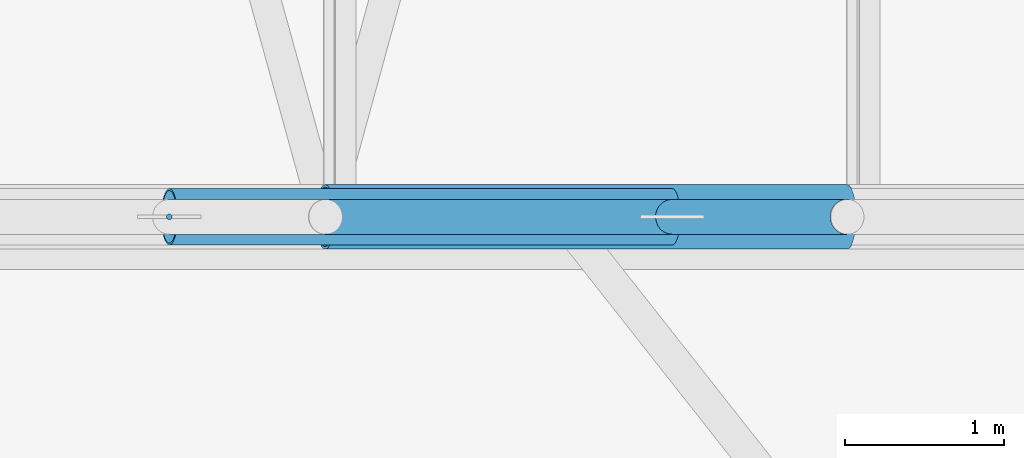
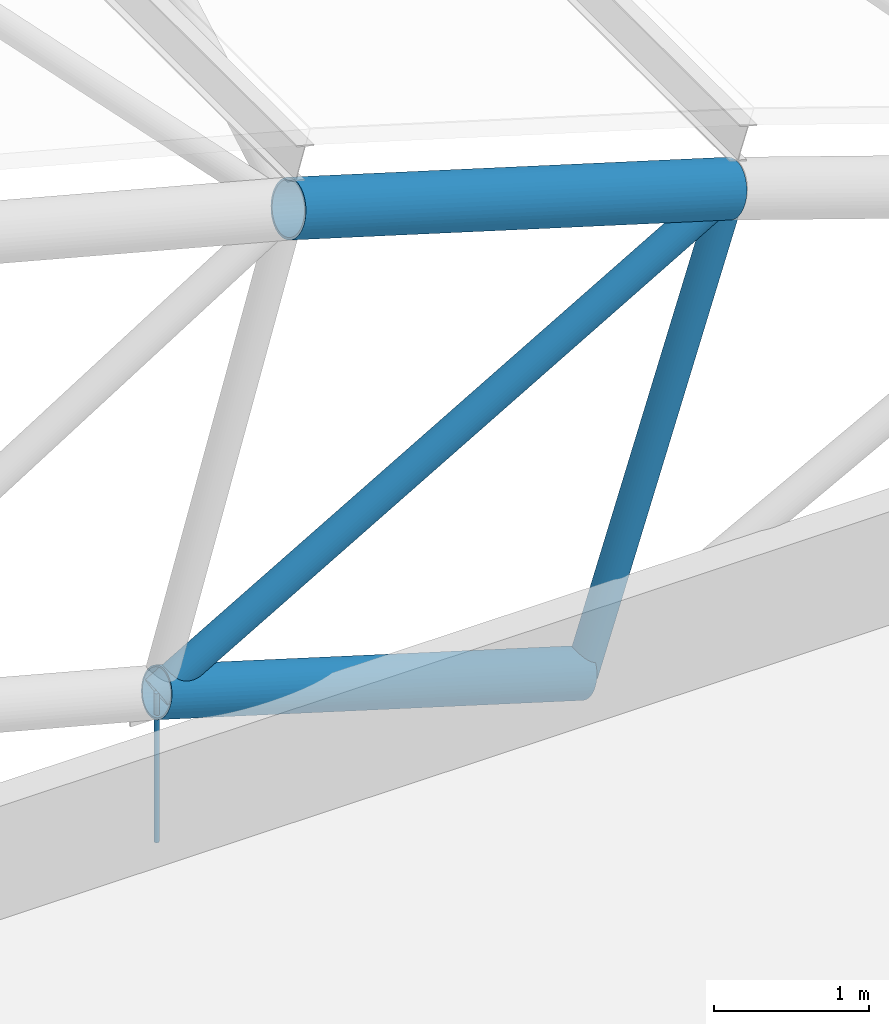
# One storey, part 43 of 321: 5 members.
"""IFC4 building model written with IfcOpenShell, lengths in metres."""

from ifc_helpers import new_model, si_unit, direction, frame, origin, origin_2d, place, context, subcontext, project, spatial, circle, hollow_circle, extrude, material, material_profile, profile_set, type_object, element, save


model = new_model("IFC4")

# Units and contexts
model_context = context("Model", 3, precision=1e-05, world=origin(), true_north=direction((0.0, 1.0)))
body_context = subcontext(model_context, "Body", "Model", "MODEL_VIEW")
ifc_project = project(units=[si_unit("LENGTHUNIT", "METRE"), si_unit("AREAUNIT", "SQUARE_METRE"), si_unit("VOLUMEUNIT", "CUBIC_METRE"), si_unit("PLANEANGLEUNIT", "RADIAN"), si_unit("MASSUNIT", "GRAM", prefix="KILO")], contexts=[model_context])

# Site, building, storey
site_placement = place(None, origin())
site = spatial("IfcSite", under=ifc_project, at=site_placement, CompositionType="ELEMENT")
building_placement = place(site_placement, origin())
building = spatial("IfcBuilding", under=site, at=building_placement, Name="Ravi Spectrum Wholesale Market", CompositionType="ELEMENT")
storey_placement = place(building_placement, frame((0.0, 0.0, 10.800048828125)))
storey = spatial("IfcBuildingStorey", under=building, at=storey_placement, Name="L02", CompositionType="ELEMENT", Elevation=10.800048828125)

# Members
ifc_material_1 = material(Name="Steel S355", Category="steel")
ifc_material_profile_1 = material_profile(ifc_material_1, hollow_circle(Radius=0.109619140625, WallThickness=0.008056640625, at=origin_2d()))
ifc_profile_set_1 = profile_set([ifc_material_profile_1], Name="Steel S355")
member_type_1 = type_object("IfcMemberType", Name="CHS 219.1x8 brace", PredefinedType="BRACE", material=ifc_profile_set_1)
member_1_placement = place(storey_placement, frame((100.380615234375, 30.0, 3.645263671875), z_axis=(-0.865160555252, 0.0, -0.501494978675), x_axis=(0.0, -1.0, 0.0)))
element("IfcMember", 1, at=member_1_placement, inside=storey, type_object=member_type_1, Name="H1-MB-L02-091", PredefinedType="BRACE", context=body_context, shape_type="SweptSolid", body=[
    extrude(hollow_circle(Radius=0.109619140625, WallThickness=0.008056640625, at=origin_2d()), origin(), (0.0, 0.0, 1.0), 4.9296875),
])
ifc_material_2 = material(Name="Steel S355", Category="steel")
ifc_material_profile_2 = material_profile(ifc_material_2, hollow_circle(Radius=0.109619140625, WallThickness=0.008056640625, at=origin_2d()))
ifc_profile_set_2 = profile_set([ifc_material_profile_2], Name="Steel S355")
member_type_2 = type_object("IfcMemberType", Name="CHS 219.1x8 post", PredefinedType="POST", material=ifc_profile_set_2)
member_2_placement = place(storey_placement, frame((100.380615234375, 30.0, 3.645263671875), z_axis=(-0.305506444581, 0.0, -0.952190008517), x_axis=(0.0, -1.0, 0.0)))
element("IfcMember", 2, at=member_2_placement, inside=storey, type_object=member_type_2, Name="H1-MB-L02-069", PredefinedType="POST", context=body_context, shape_type="SweptSolid", body=[
    extrude(hollow_circle(Radius=0.109619140625, WallThickness=0.008056640625, at=origin_2d()), origin(), (0.0, 0.0, 1.0), 3.60009765625),
])
ifc_material_3 = material(Name="Steel S355", Category="steel")
ifc_material_profile_3 = material_profile(ifc_material_3, hollow_circle(Radius=0.177734375, WallThickness=0.012451171875, at=origin_2d()))
ifc_profile_set_3 = profile_set([ifc_material_profile_3], Name="Steel S355")
member_type_3 = type_object("IfcMemberType", Name="CHS 355.6x12.5 chord", PredefinedType="CHORD", material=ifc_profile_set_3)
member_3_placement = place(storey_placement, frame((96.11572265625, 30.0, 1.173095703125), z_axis=(0.957300337613, 0.0, -0.289095250058), x_axis=(0.0, 1.0, 0.0)))
element("IfcMember", 3, at=member_3_placement, inside=storey, type_object=member_type_3, Name="H1-MB-L02-045", PredefinedType="CHORD", context=body_context, shape_type="SweptSolid", body=[
    extrude(hollow_circle(Radius=0.177734375, WallThickness=0.012451171875, at=origin_2d()), origin(), (0.0, 0.0, 1.0), 3.30615234375),
])
ifc_material_4 = material(Name="Steel S355", Category="steel")
ifc_material_profile_4 = material_profile(ifc_material_4, hollow_circle(Radius=0.203125, WallThickness=0.01611328125, at=origin_2d()))
ifc_profile_set_4 = profile_set([ifc_material_profile_4], Name="Steel S355")
member_type_4 = type_object("IfcMemberType", Name="CHS 406.4x16 chord", PredefinedType="CHORD", material=ifc_profile_set_4)
member_4_placement = place(storey_placement, frame((97.096923828125, 30.0, 4.63671875), z_axis=(0.957315448633, 0.0, -0.289045207204), x_axis=(0.0, 1.0, 0.0)))
element("IfcMember", 4, at=member_4_placement, inside=storey, type_object=member_type_4, Name="H1-MB-L02-021", PredefinedType="CHORD", context=body_context, shape_type="SweptSolid", body=[
    extrude(hollow_circle(Radius=0.203125, WallThickness=0.01611328125, at=origin_2d()), origin(), (0.0, 0.0, 1.0), 3.43017578125),
])
ifc_material_5 = material(Name="Steel S355", Category="steel")
ifc_material_profile_5 = material_profile(ifc_material_5, circle(Radius=0.01806640625, at=origin_2d()))
ifc_profile_set_5 = profile_set([ifc_material_profile_5], Name="Steel S355")
member_type_5 = type_object("IfcMemberType", Name="ROD 36 hanger", PredefinedType="STRUT", material=ifc_profile_set_5)
member_5_placement = place(storey_placement, frame((96.11572265625, 30.0, 0.0), z_axis=(0.0, 0.0, 1.0), x_axis=(1.0, 0.0, 0.0)))
element("IfcMember", 5, at=member_5_placement, inside=storey, type_object=member_type_5, Name="H1-MB-L02-099", PredefinedType="STRUT", context=body_context, shape_type="SweptSolid", body=[
    extrude(circle(Radius=0.01806640625, at=origin_2d()), origin(), (0.0, 0.0, 1.0), 1.173095703125),
])

save(model, "model.ifc")
